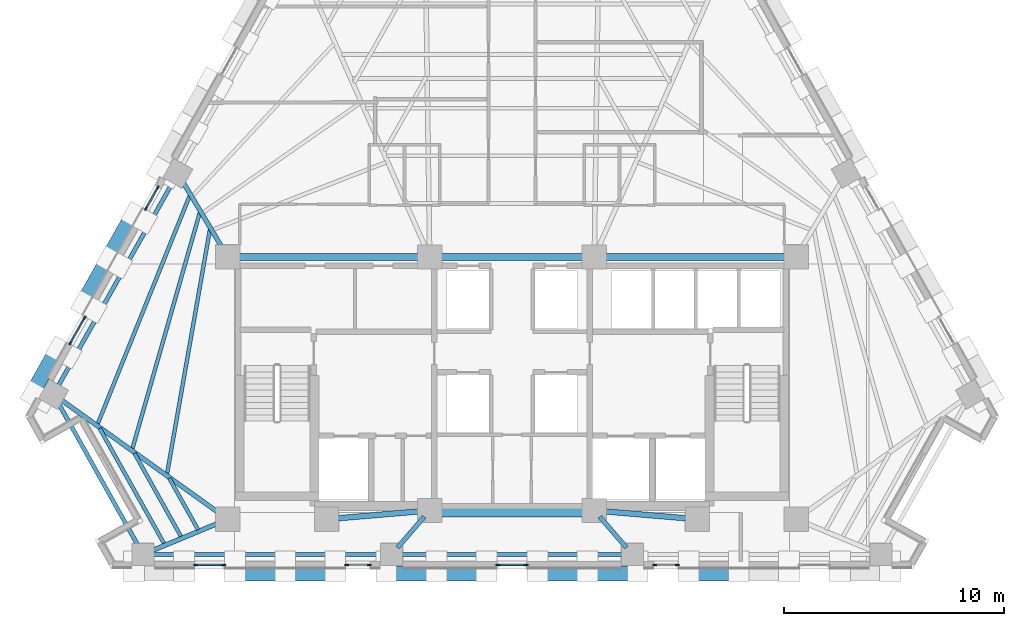
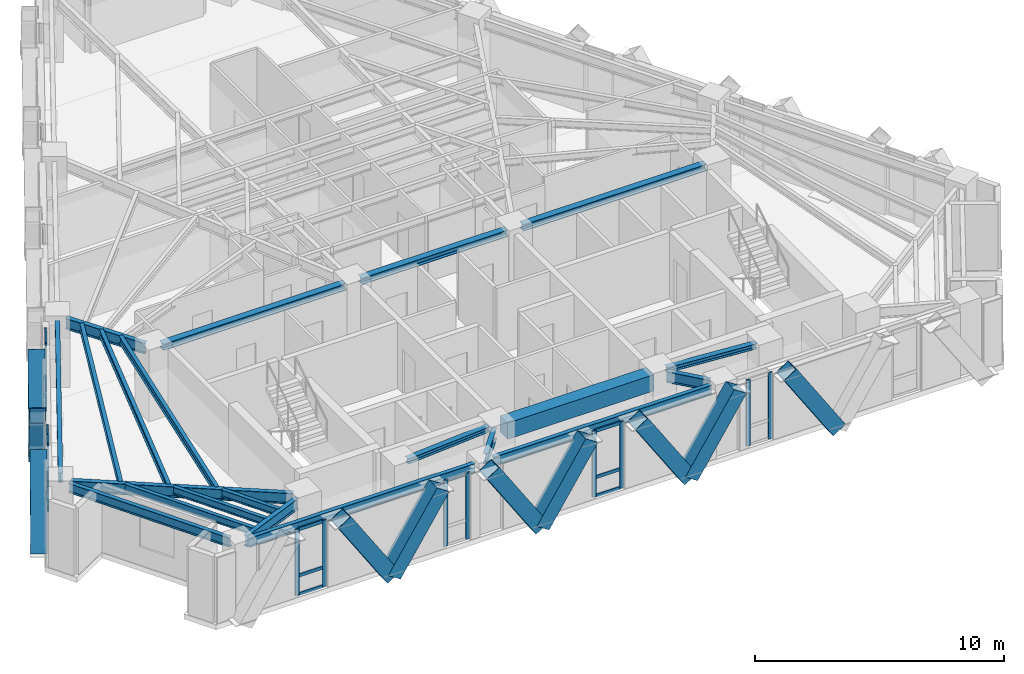
# One storey, part 2 of 14: 34 members, 21 beams, 6 elements without a shape of their own.
"""IFC4 building model written with IfcOpenShell, lengths in metres."""

import ifcopenshell
import ifcopenshell.guid

model = None  # the IFC model being written
_history = None  # IfcOwnerHistory: only IFC2X3 demands one
_inside = {}  # id of a spatial element -> (the spatial element, [elements in it])
_under = {}  # id of a project, library or spatial element -> (it, [spatial elements below it])
_declared = {}  # id of a project -> (the project, [libraries it declares])
_typed = {}  # id of a type object -> (the type object, [elements of that type])
_made_of = {}  # id of a material, layer set ... -> (it, [elements and type objects made of it])


def new_model(schema):
    """Start an empty IFC model of exactly this schema.

    Asked for "IFC4X3", IfcOpenShell would pick the latest addendum, in which some entities
    have other attributes; the version numbers below select the first issue.
    IFC2X3 requires an IfcOwnerHistory on every rooted entity: one is made here for all.
    """
    global model, _history
    if schema == "IFC4X3":
        model = ifcopenshell.file(schema_version=(4, 3, 0, 0))
    else:
        model = ifcopenshell.file(schema=schema)
    _inside.clear()
    _under.clear()
    _declared.clear()
    _typed.clear()
    _made_of.clear()
    _history = None
    if model.schema == "IFC2X3":
        org = make("IfcOrganization", Name="unknown")
        user = make(
            "IfcPersonAndOrganization",
            ThePerson=make("IfcPerson", FamilyName="unknown"),
            TheOrganization=org,
        )
        app = make(
            "IfcApplication",
            ApplicationDeveloper=org,
            Version="unknown",
            ApplicationFullName="unknown",
            ApplicationIdentifier="unknown",
        )
        _history = make(
            "IfcOwnerHistory",
            OwningUser=user,
            OwningApplication=app,
            ChangeAction="ADDED",
            CreationDate=0,
        )
    return model


def make(cls, **values):
    """One entity of the class cls with the attributes given. An attribute that is None is left unset."""
    return model.create_entity(
        cls, **{name: value for name, value in values.items() if value is not None}
    )


def rooted(cls, **values):
    """An entity with a GlobalId (a new one), such as an element, a storey or a relation."""
    return make(cls, GlobalId=ifcopenshell.guid.new(), OwnerHistory=_history, **values)


def si_unit(unit_type, name, prefix=None):
    """IfcSIUnit, for example si_unit("LENGTHUNIT", "METRE", prefix="MILLI")."""
    return make("IfcSIUnit", UnitType=unit_type, Prefix=prefix, Name=name)


def assignment(units):
    """IfcUnitAssignment: the units of a project."""
    return None if units is None else make("IfcUnitAssignment", Units=units)


def point(xyz):
    """IfcCartesianPoint."""
    return None if xyz is None else make("IfcCartesianPoint", Coordinates=xyz)


def direction(xyz):
    """IfcDirection."""
    return None if xyz is None else make("IfcDirection", DirectionRatios=xyz)


def frame(location, z_axis=None, x_axis=None):
    """IfcAxis2Placement3D, a coordinate frame: its origin and axes. An axis left out is left unset."""
    return make(
        "IfcAxis2Placement3D",
        Location=point(location),
        Axis=direction(z_axis),
        RefDirection=direction(x_axis),
    )


def frame_2d(location, x_axis=None):
    """IfcAxis2Placement2D, a coordinate frame in the plane: its origin and x axis."""
    return make(
        "IfcAxis2Placement2D", Location=point(location), RefDirection=direction(x_axis)
    )


def origin():
    """The frame at (0, 0, 0) with its axes left unset."""
    return frame((0.0, 0.0, 0.0))


def origin_2d():
    """The frame at (0, 0) in the plane with its x axis left unset."""
    return frame_2d((0.0, 0.0))


def place(relative_to, where):
    """IfcLocalPlacement: puts the frame where relative to a parent placement (None: the world)."""
    return make(
        "IfcLocalPlacement", PlacementRelTo=relative_to, RelativePlacement=where
    )


def context(
    kind, dimensions, precision=None, world=None, true_north=None, identifier=None
):
    """IfcGeometricRepresentationContext, for example the 3D "Model" context."""
    return make(
        "IfcGeometricRepresentationContext",
        ContextIdentifier=identifier,
        ContextType=kind,
        CoordinateSpaceDimension=dimensions,
        Precision=precision,
        WorldCoordinateSystem=world,
        TrueNorth=true_north,
    )


def subcontext(parent, identifier, kind, view, scale=None):
    """IfcGeometricRepresentationSubContext, for example "Body" below "Model"."""
    return make(
        "IfcGeometricRepresentationSubContext",
        ContextIdentifier=identifier,
        ContextType=kind,
        ParentContext=parent,
        TargetScale=scale,
        TargetView=view,
    )


def project(units=None, contexts=None):
    """IfcProject with its units and contexts."""
    return rooted(
        "IfcProject",
        Name="project",
        RepresentationContexts=contexts,
        UnitsInContext=assignment(units),
    )


def spatial(cls, under=None, at=None, **own):
    """A site, building, storey or space (cls), placed at a placement, below another one or the project."""
    s = rooted(cls, ObjectPlacement=at, **own)
    if under is not None:
        _under.setdefault(under.id(), (under, []))[1].append(s)
    return s


def profile(cls, at=None, kind="AREA", **sizes):
    """A parametric profile (cls). Its sizes go by their IFC names, for example OverallWidth=200.0."""
    return make(cls, ProfileType=kind, Position=at, **sizes)


def rectangle(**sizes):
    """IfcRectangleProfileDef."""
    return profile("IfcRectangleProfileDef", **sizes)


def hollow_rectangle(**sizes):
    """IfcRectangleHollowProfileDef."""
    return profile("IfcRectangleHollowProfileDef", **sizes)


def i_section(**sizes):
    """IfcIShapeProfileDef."""
    return profile("IfcIShapeProfileDef", **sizes)


def extrude(swept, where, along, depth):
    """IfcExtrudedAreaSolid: the profile swept, set in the frame where, extruded along a direction by depth."""
    return make(
        "IfcExtrudedAreaSolid",
        SweptArea=swept,
        Position=where,
        ExtrudedDirection=direction(along),
        Depth=depth,
    )


def shape(context_of_items, identifier, shape_type, items):
    """IfcShapeRepresentation: the items that make up one representation, for example the "Body"."""
    return make(
        "IfcShapeRepresentation",
        ContextOfItems=context_of_items,
        RepresentationIdentifier=identifier,
        RepresentationType=shape_type,
        Items=items,
    )


def material(Name=None, Category=None):
    """IfcMaterial."""
    return make("IfcMaterial", Name=Name, Category=Category)


def material_profile(
    of_material, cross_section, Name=None, Category=None, Priority=None
):
    """IfcMaterialProfile: a cross section and its material."""
    return make(
        "IfcMaterialProfile",
        Name=Name,
        Material=of_material,
        Profile=cross_section,
        Priority=Priority,
        Category=Category,
    )


def profile_set(profiles, Name=None, composite=None):
    """IfcMaterialProfileSet."""
    return make(
        "IfcMaterialProfileSet",
        Name=Name,
        MaterialProfiles=profiles,
        CompositeProfile=composite,
    )


def made_of(thing, what):
    """Note that an element or type object is made of a material, layer set ...; save() writes the relation."""
    if what is not None:
        _made_of.setdefault(what.id(), (what, []))[1].append(thing)
    return thing


def type_object(cls, material=None, **own):
    """A type object (cls), such as IfcWallType, which elements share."""
    return made_of(rooted(cls, **own), material)


def element(
    cls,
    number,
    at=None,
    inside=None,
    cuts=None,
    type_object=None,
    material=None,
    context=None,
    identifier="Body",
    shape_type=None,
    held_by="IfcProductDefinitionShape",
    body=None,
    shapes=None,
    **own,
):
    """One element of the class cls, such as IfcWall. Its Tag is "e" and its number.

    at: its placement. inside: the storey or other place that contains it. cuts: it is an
    opening in that element (IfcRelVoidsElement). A single representation is given by context,
    identifier, shape_type and body (its items); several are given by shapes. held_by: the class
    of the entity that holds the representations. save() writes the other relations.
    """
    e = rooted(cls, Tag="e%d" % number, ObjectPlacement=at, **own)
    if body is not None:
        shapes = [shape(context, identifier, shape_type, body)]
    if shapes is not None:
        e.Representation = make(held_by, Representations=shapes)
    if inside is not None:
        _inside.setdefault(inside.id(), (inside, []))[1].append(e)
    if cuts is not None:
        rooted(
            "IfcRelVoidsElement", RelatingBuildingElement=cuts, RelatedOpeningElement=e
        )
    if type_object is not None:
        _typed.setdefault(type_object.id(), (type_object, []))[1].append(e)
    return made_of(e, material)


def aggregate(whole, parts):
    """IfcRelAggregates: a whole, such as a stair, and the parts it consists of."""
    return rooted("IfcRelAggregates", RelatingObject=whole, RelatedObjects=parts)


def save(model, path):
    """Write the relations noted so far, then the file.

    IfcRelAggregates (storeys below a building ...), IfcRelContainedInSpatialStructure (elements
    in a storey), IfcRelDefinesByType, IfcRelAssociatesMaterial and IfcRelDeclares: one each for
    every whole, place, type object, material and project.
    """
    for whole, parts in _under.values():
        aggregate(whole, parts)
    for where, things in _inside.values():
        rooted(
            "IfcRelContainedInSpatialStructure",
            RelatedElements=things,
            RelatingStructure=where,
        )
    for kind, things in _typed.values():
        rooted("IfcRelDefinesByType", RelatedObjects=things, RelatingType=kind)
    for what, things in _made_of.values():
        rooted("IfcRelAssociatesMaterial", RelatedObjects=things, RelatingMaterial=what)
    for by, libraries in _declared.values():
        rooted("IfcRelDeclares", RelatingContext=by, RelatedDefinitions=libraries)
    model.write(path)


model = new_model("IFC4")

# Units and contexts
model_context = context("Model", 3, precision=1e-05, world=origin(), true_north=direction((0.0, 1.0)))
body_context = subcontext(model_context, "Body", "Model", "MODEL_VIEW")
ifc_project = project(units=[si_unit("LENGTHUNIT", "METRE"), si_unit("AREAUNIT", "SQUARE_METRE"), si_unit("VOLUMEUNIT", "CUBIC_METRE"), si_unit("PLANEANGLEUNIT", "RADIAN"), si_unit("MASSUNIT", "GRAM", prefix="KILO")], contexts=[model_context])

# Site, building, storey
site_placement = place(None, origin())
site = spatial("IfcSite", under=ifc_project, at=site_placement, CompositionType="ELEMENT")
building_placement = place(site_placement, origin())
building = spatial("IfcBuilding", under=site, at=building_placement, Name="Quenlor Broadcast Tower", CompositionType="ELEMENT")
storey_placement = place(building_placement, frame((0.0, 0.0, 140.5)))
storey = spatial("IfcBuildingStorey", under=building, at=storey_placement, Name="L38", CompositionType="ELEMENT", Elevation=140.5)

# Curtain wall, members
ifc_material_1 = material(Name="Architectural Terracotta and Low-E Glazing", Category="masonry")
curtain_wall_type = type_object("IfcCurtainWallType", Name="Unitised Terracotta Curtain Wall System Z3", PredefinedType="NOTDEFINED", material=ifc_material_1)
curtain_wall_1_placement = place(storey_placement, origin())
curtain_wall_1 = element("IfcCurtainWall", 1, at=curtain_wall_1_placement, inside=storey, type_object=curtain_wall_type, Name="L38 Curtain Wall CW3 (L38-SA-G2)", PredefinedType="NOTDEFINED")
ifc_material_2 = material(Name="Aluminium 6063-T6", Category="aluminium")
ifc_material_profile_1 = material_profile(ifc_material_2, rectangle(XDim=0.070068359375, YDim=0.18994140625, at=origin_2d()))
ifc_profile_set_1 = profile_set([ifc_material_profile_1], Name="Aluminium 6063-T6 MULL70x190")
member_type_1 = type_object("IfcMemberType", Name="CW3 Aluminium Mullion MULL_CW3", PredefinedType="MULLION", material=ifc_profile_set_1)
member_1_placement = place(storey_placement, frame((7.52197265625, -18.824951171875, 0.0), z_axis=(0.0, 0.0, 1.0), x_axis=(0.0, -1.0, 0.0)))
member_1 = element("IfcMember", 2, at=member_1_placement, type_object=member_type_1, Name="CW3 mullion 1", PredefinedType="MULLION", context=body_context, shape_type="SweptSolid", body=[
    extrude(rectangle(XDim=0.070068359375, YDim=0.18994140625, at=origin_2d()), origin(), (0.0, 0.0, 1.0), 3.25),
])
member_2_placement = place(storey_placement, frame((6.5009765625, -18.824951171875, 0.0), z_axis=(0.0, 0.0, 1.0), x_axis=(0.0, -1.0, 0.0)))
member_2 = element("IfcMember", 3, at=member_2_placement, type_object=member_type_1, Name="CW3 mullion 2", PredefinedType="MULLION", context=body_context, shape_type="SweptSolid", body=[
    extrude(rectangle(XDim=0.070068359375, YDim=0.18994140625, at=origin_2d()), origin(), (0.0, 0.0, 1.0), 3.25),
])
aggregate(curtain_wall_1, [member_1, member_2])

curtain_wall_2_placement = place(storey_placement, origin())
curtain_wall_2 = element("IfcCurtainWall", 4, at=curtain_wall_2_placement, inside=storey, type_object=curtain_wall_type, Name="L38 Curtain Wall CW3 (L38-SC-G1)", PredefinedType="NOTDEFINED")
member_3_placement = place(storey_placement, frame((-6.5009765625, -18.824951171875, 0.0), z_axis=(0.0, 0.0, 1.0), x_axis=(0.0, -1.0, 0.0)))
member_3 = element("IfcMember", 5, at=member_3_placement, type_object=member_type_1, Name="CW3 mullion 1", PredefinedType="MULLION", context=body_context, shape_type="SweptSolid", body=[
    extrude(rectangle(XDim=0.070068359375, YDim=0.18994140625, at=origin_2d()), origin(), (0.0, 0.0, 1.0), 3.25),
])
member_4_placement = place(storey_placement, frame((-7.52197265625, -18.824951171875, 0.0), z_axis=(0.0, 0.0, 1.0), x_axis=(0.0, -1.0, 0.0)))
member_4 = element("IfcMember", 6, at=member_4_placement, type_object=member_type_1, Name="CW3 mullion 2", PredefinedType="MULLION", context=body_context, shape_type="SweptSolid", body=[
    extrude(rectangle(XDim=0.070068359375, YDim=0.18994140625, at=origin_2d()), origin(), (0.0, 0.0, 1.0), 3.25),
])
aggregate(curtain_wall_2, [member_3, member_4])

curtain_wall_3_placement = place(storey_placement, origin())
curtain_wall_3 = element("IfcCurtainWall", 7, at=curtain_wall_3_placement, inside=storey, type_object=curtain_wall_type, Name="L38 Curtain Wall CW3 (L38-SC-G2)", PredefinedType="NOTDEFINED")
member_5_placement = place(storey_placement, frame((-13.14208984375, -18.824951171875, 0.0), z_axis=(0.0, 0.0, 1.0), x_axis=(0.0, -1.0, 0.0)))
member_5 = element("IfcMember", 8, at=member_5_placement, type_object=member_type_1, Name="CW3 mullion 1", PredefinedType="MULLION", context=body_context, shape_type="SweptSolid", body=[
    extrude(rectangle(XDim=0.070068359375, YDim=0.18994140625, at=origin_2d()), origin(), (0.0, 0.0, 1.0), 3.25),
])
member_6_placement = place(storey_placement, frame((-14.409912109375, -18.824951171875, 0.0), z_axis=(0.0, 0.0, 1.0), x_axis=(0.0, -1.0, 0.0)))
member_6 = element("IfcMember", 9, at=member_6_placement, type_object=member_type_1, Name="CW3 mullion 2", PredefinedType="MULLION", context=body_context, shape_type="SweptSolid", body=[
    extrude(rectangle(XDim=0.070068359375, YDim=0.18994140625, at=origin_2d()), origin(), (0.0, 0.0, 1.0), 3.25),
])

curtain_wall_4_placement = place(storey_placement, origin())
curtain_wall_4 = element("IfcCurtainWall", 10, at=curtain_wall_4_placement, inside=storey, type_object=curtain_wall_type, Name="L38 Curtain Wall CW3 (L38-S-G1)", PredefinedType="NOTDEFINED")
member_7_placement = place(storey_placement, frame((0.634033203125, -18.824951171875, 0.0), z_axis=(0.0, 0.0, 1.0), x_axis=(0.0, -1.0, 0.0)))
member_7 = element("IfcMember", 11, at=member_7_placement, type_object=member_type_1, Name="CW3 mullion 1", PredefinedType="MULLION", context=body_context, shape_type="SweptSolid", body=[
    extrude(rectangle(XDim=0.070068359375, YDim=0.18994140625, at=origin_2d()), origin(), (0.0, 0.0, 1.0), 3.25),
])
member_8_placement = place(storey_placement, frame((-0.634033203125, -18.824951171875, 0.0), z_axis=(0.0, 0.0, 1.0), x_axis=(0.0, -1.0, 0.0)))
member_8 = element("IfcMember", 12, at=member_8_placement, type_object=member_type_1, Name="CW3 mullion 2", PredefinedType="MULLION", context=body_context, shape_type="SweptSolid", body=[
    extrude(rectangle(XDim=0.070068359375, YDim=0.18994140625, at=origin_2d()), origin(), (0.0, 0.0, 1.0), 3.25),
])

curtain_wall_5_placement = place(storey_placement, origin())
curtain_wall_5 = element("IfcCurtainWall", 13, at=curtain_wall_5_placement, inside=storey, type_object=curtain_wall_type, Name="L38 Curtain Wall CW3 (L38-NWA-G1)", PredefinedType="NOTDEFINED")
member_9_placement = place(storey_placement, frame((-20.1171875, -8.720703125, 0.0), z_axis=(0.0, 0.0, 1.0), x_axis=(-0.871575537123, 0.490261239636, 0.0)))
member_9 = element("IfcMember", 14, at=member_9_placement, type_object=member_type_1, Name="CW3 mullion 1", PredefinedType="MULLION", context=body_context, shape_type="SweptSolid", body=[
    extrude(rectangle(XDim=0.070068359375, YDim=0.18994140625, at=origin_2d()), origin(), (0.0, 0.0, 1.0), 3.25),
])
member_10_placement = place(storey_placement, frame((-19.47021484375, -7.570556640625, 0.0), z_axis=(0.0, 0.0, 1.0), x_axis=(-0.871575537123, 0.490261239636, 0.0)))
member_10 = element("IfcMember", 15, at=member_10_placement, type_object=member_type_1, Name="CW3 mullion 2", PredefinedType="MULLION", context=body_context, shape_type="SweptSolid", body=[
    extrude(rectangle(XDim=0.070068359375, YDim=0.18994140625, at=origin_2d()), origin(), (0.0, 0.0, 1.0), 3.25),
])

curtain_wall_6_placement = place(storey_placement, origin())
curtain_wall_6 = element("IfcCurtainWall", 16, at=curtain_wall_6_placement, inside=storey, type_object=curtain_wall_type, Name="L38 Curtain Wall CW3 (L38-NWA-G2)", PredefinedType="NOTDEFINED")
member_11_placement = place(storey_placement, frame((-16.6689453125, -2.5908203125, 0.0), z_axis=(0.0, 0.0, 1.0), x_axis=(-0.871580169247, 0.490253004657, 0.0)))
member_11 = element("IfcMember", 17, at=member_11_placement, type_object=member_type_1, Name="CW3 mullion 1", PredefinedType="MULLION", context=body_context, shape_type="SweptSolid", body=[
    extrude(rectangle(XDim=0.070068359375, YDim=0.18994140625, at=origin_2d()), origin(), (0.0, 0.0, 1.0), 3.25),
])
member_12_placement = place(storey_placement, frame((-16.137939453125, -1.646728515625, 0.0), z_axis=(0.0, 0.0, 1.0), x_axis=(-0.871580169247, 0.490253004657, 0.0)))
member_12 = element("IfcMember", 18, at=member_12_placement, type_object=member_type_1, Name="CW3 mullion 2", PredefinedType="MULLION", context=body_context, shape_type="SweptSolid", body=[
    extrude(rectangle(XDim=0.070068359375, YDim=0.18994140625, at=origin_2d()), origin(), (0.0, 0.0, 1.0), 3.25),
])

# Member
ifc_material_3 = material(Name="Aluminium 6063-T6", Category="aluminium")
ifc_material_profile_2 = material_profile(ifc_material_3, rectangle(XDim=0.070068359375, YDim=0.155029296875, at=origin_2d()))
ifc_profile_set_2 = profile_set([ifc_material_profile_2], Name="Aluminium 6063-T6 TRAN70x155")
member_type_2 = type_object("IfcMemberType", Name="CW3 Aluminium Transom TRAN_CW3", PredefinedType="USERDEFINED", material=ifc_profile_set_2)
member_13_placement = place(storey_placement, frame((-13.177001953125, -18.824951171875, 0.034912109375), z_axis=(-1.0, 0.0, 0.0), x_axis=(0.0, -1.0, 0.0)))
member_13 = element("IfcMember", 19, at=member_13_placement, type_object=member_type_2, Name="CW3 transom 1.1", ObjectType="TRANSOM", PredefinedType="USERDEFINED", context=body_context, shape_type="SweptSolid", body=[
    extrude(rectangle(XDim=0.070068359375, YDim=0.155029296875, at=origin_2d()), origin(), (0.0, 0.0, 1.0), 1.197998046875),
])

member_14_placement = place(storey_placement, frame((-13.177001953125, -18.824951171875, 0.949951171875), z_axis=(-1.0, 0.0, 0.0), x_axis=(0.0, -1.0, 0.0)))
member_14 = element("IfcMember", 20, at=member_14_placement, type_object=member_type_2, Name="CW3 transom 1.2", ObjectType="TRANSOM", PredefinedType="USERDEFINED", context=body_context, shape_type="SweptSolid", body=[
    extrude(rectangle(XDim=0.070068359375, YDim=0.155029296875, at=origin_2d()), origin(), (0.0, 0.0, 1.0), 1.197998046875),
])

member_15_placement = place(storey_placement, frame((-13.177001953125, -18.824951171875, 3.215087890625), z_axis=(-1.0, 0.0, 0.0), x_axis=(0.0, -1.0, 0.0)))
member_15 = element("IfcMember", 21, at=member_15_placement, type_object=member_type_2, Name="CW3 transom 1.3", ObjectType="TRANSOM", PredefinedType="USERDEFINED", context=body_context, shape_type="SweptSolid", body=[
    extrude(rectangle(XDim=0.070068359375, YDim=0.155029296875, at=origin_2d()), origin(), (0.0, 0.0, 1.0), 1.197998046875),
])

aggregate(curtain_wall_3, [member_5, member_6, member_13, member_14, member_15])

member_16_placement = place(storey_placement, frame((0.59912109375, -18.824951171875, 0.034912109375), z_axis=(-1.0, 0.0, 0.0), x_axis=(0.0, -1.0, 0.0)))
member_16 = element("IfcMember", 22, at=member_16_placement, type_object=member_type_2, Name="CW3 transom 1.1", ObjectType="TRANSOM", PredefinedType="USERDEFINED", context=body_context, shape_type="SweptSolid", body=[
    extrude(rectangle(XDim=0.070068359375, YDim=0.155029296875, at=origin_2d()), origin(), (0.0, 0.0, 1.0), 1.1982421875),
])

member_17_placement = place(storey_placement, frame((0.59912109375, -18.824951171875, 0.949951171875), z_axis=(-1.0, 0.0, 0.0), x_axis=(0.0, -1.0, 0.0)))
member_17 = element("IfcMember", 23, at=member_17_placement, type_object=member_type_2, Name="CW3 transom 1.2", ObjectType="TRANSOM", PredefinedType="USERDEFINED", context=body_context, shape_type="SweptSolid", body=[
    extrude(rectangle(XDim=0.070068359375, YDim=0.155029296875, at=origin_2d()), origin(), (0.0, 0.0, 1.0), 1.1982421875),
])

member_18_placement = place(storey_placement, frame((0.59912109375, -18.824951171875, 3.215087890625), z_axis=(-1.0, 0.0, 0.0), x_axis=(0.0, -1.0, 0.0)))
member_18 = element("IfcMember", 24, at=member_18_placement, type_object=member_type_2, Name="CW3 transom 1.3", ObjectType="TRANSOM", PredefinedType="USERDEFINED", context=body_context, shape_type="SweptSolid", body=[
    extrude(rectangle(XDim=0.070068359375, YDim=0.155029296875, at=origin_2d()), origin(), (0.0, 0.0, 1.0), 1.1982421875),
])

aggregate(curtain_wall_4, [member_7, member_8, member_16, member_17, member_18])

member_19_placement = place(storey_placement, frame((-20.10009765625, -8.690185546875, 0.034912109375), z_axis=(0.490363266059, 0.871518139398, 0.0), x_axis=(-0.871518139398, 0.490363266059, 0.0)))
member_19 = element("IfcMember", 25, at=member_19_placement, type_object=member_type_2, Name="CW3 transom 1.1", ObjectType="TRANSOM", PredefinedType="USERDEFINED", context=body_context, shape_type="SweptSolid", body=[
    extrude(rectangle(XDim=0.070068359375, YDim=0.155029296875, at=origin_2d()), origin(), (0.0, 0.0, 1.0), 1.249755859375),
])

member_20_placement = place(storey_placement, frame((-20.10009765625, -8.690185546875, 0.949951171875), z_axis=(0.490363266059, 0.871518139398, 0.0), x_axis=(-0.871518139398, 0.490363266059, 0.0)))
member_20 = element("IfcMember", 26, at=member_20_placement, type_object=member_type_2, Name="CW3 transom 1.2", ObjectType="TRANSOM", PredefinedType="USERDEFINED", context=body_context, shape_type="SweptSolid", body=[
    extrude(rectangle(XDim=0.070068359375, YDim=0.155029296875, at=origin_2d()), origin(), (0.0, 0.0, 1.0), 1.249755859375),
])

member_21_placement = place(storey_placement, frame((-20.10009765625, -8.690185546875, 3.215087890625), z_axis=(0.490363266059, 0.871518139398, 0.0), x_axis=(-0.871518139398, 0.490363266059, 0.0)))
member_21 = element("IfcMember", 27, at=member_21_placement, type_object=member_type_2, Name="CW3 transom 1.3", ObjectType="TRANSOM", PredefinedType="USERDEFINED", context=body_context, shape_type="SweptSolid", body=[
    extrude(rectangle(XDim=0.070068359375, YDim=0.155029296875, at=origin_2d()), origin(), (0.0, 0.0, 1.0), 1.249755859375),
])

aggregate(curtain_wall_5, [member_9, member_10, member_19, member_20, member_21])

member_22_placement = place(storey_placement, frame((-16.65185546875, -2.560302734375, 0.034912109375), z_axis=(0.49015826449, 0.871633452635, 0.0), x_axis=(-0.871633452635, 0.49015826449, 0.0)))
member_22 = element("IfcMember", 28, at=member_22_placement, type_object=member_type_2, Name="CW3 transom 1.1", ObjectType="TRANSOM", PredefinedType="USERDEFINED", context=body_context, shape_type="SweptSolid", body=[
    extrude(rectangle(XDim=0.070068359375, YDim=0.155029296875, at=origin_2d()), origin(), (0.0, 0.0, 1.0), 1.01318359375),
])

member_23_placement = place(storey_placement, frame((-16.65185546875, -2.560302734375, 0.949951171875), z_axis=(0.49015826449, 0.871633452635, 0.0), x_axis=(-0.871633452635, 0.49015826449, 0.0)))
member_23 = element("IfcMember", 29, at=member_23_placement, type_object=member_type_2, Name="CW3 transom 1.2", ObjectType="TRANSOM", PredefinedType="USERDEFINED", context=body_context, shape_type="SweptSolid", body=[
    extrude(rectangle(XDim=0.070068359375, YDim=0.155029296875, at=origin_2d()), origin(), (0.0, 0.0, 1.0), 1.01318359375),
])

member_24_placement = place(storey_placement, frame((-16.65185546875, -2.560302734375, 3.215087890625), z_axis=(0.49015826449, 0.871633452635, 0.0), x_axis=(-0.871633452635, 0.49015826449, 0.0)))
member_24 = element("IfcMember", 30, at=member_24_placement, type_object=member_type_2, Name="CW3 transom 1.3", ObjectType="TRANSOM", PredefinedType="USERDEFINED", context=body_context, shape_type="SweptSolid", body=[
    extrude(rectangle(XDim=0.070068359375, YDim=0.155029296875, at=origin_2d()), origin(), (0.0, 0.0, 1.0), 1.01318359375),
])

aggregate(curtain_wall_6, [member_11, member_12, member_22, member_23, member_24])

# Beams
ifc_material_4 = material(Name="Concrete C50/60", Category="concrete")
ifc_material_profile_3 = material_profile(ifc_material_4, rectangle(XDim=0.60009765625, YDim=0.800048828125, at=origin_2d()))
ifc_profile_set_3 = profile_set([ifc_material_profile_3], Name="Concrete C50/60 RCB600x800")
beam_type_1 = type_object("IfcBeamType", Name="Core Coupling Beam Concrete C50/60 600x800", PredefinedType="BEAM", material=ifc_profile_set_3)
beam_1_placement = place(storey_placement, frame((-3.389892578125, -16.35009765625, 2.85009765625), z_axis=(1.0, 0.0, 0.0), x_axis=(0.0, 1.0, 0.0)))
element("IfcBeam", 31, at=beam_1_placement, inside=storey, type_object=beam_type_1, Name="L38 Core Coupling Beam 6", PredefinedType="BEAM", context=body_context, shape_type="SweptSolid", body=[
    extrude(rectangle(XDim=0.60009765625, YDim=0.800048828125, at=origin_2d()), origin(), (0.0, 0.0, 1.0), 6.77978515625),
])
ifc_material_5 = material(Name="Steel S355", Category="steel")
ifc_material_profile_4 = material_profile(ifc_material_5, i_section(OverallWidth=0.304931640625, OverallDepth=0.30810546875, WebThickness=0.010009765625, FlangeThickness=0.015380859375, FilletRadius=0.0166015625, at=origin_2d()))
ifc_profile_set_4 = profile_set([ifc_material_profile_4], Name="Steel S355 310UC96.8")
beam_type_2 = type_object("IfcBeamType", Name="Core Header Beam Steel S355 310UC96.8", PredefinedType="BEAM", material=ifc_profile_set_4)
beam_2_placement = place(storey_placement, frame((-3.389892578125, -4.800048828125, 3.095947265625), z_axis=(1.0, 0.0, 0.0), x_axis=(0.0, 1.0, 0.0)))
element("IfcBeam", 32, at=beam_2_placement, inside=storey, type_object=beam_type_2, Name="L38 Core Header Beam 2", PredefinedType="BEAM", context=body_context, shape_type="SweptSolid", body=[
    extrude(i_section(OverallWidth=0.304931640625, OverallDepth=0.30810546875, WebThickness=0.010009765625, FlangeThickness=0.015380859375, FilletRadius=0.0166015625, at=origin_2d()), origin(), (0.0, 0.0, 1.0), 6.77978515625),
])
ifc_material_6 = material(Name="Steel S355", Category="steel")
ifc_material_profile_5 = material_profile(ifc_material_6, i_section(OverallWidth=0.25390625, OverallDepth=0.25390625, WebThickness=0.008544921875, FlangeThickness=0.01416015625, FilletRadius=0.013916015625, at=origin_2d()))
ifc_profile_set_5 = profile_set([ifc_material_profile_5], Name="Steel S355 250UC72.9")
beam_type_3 = type_object("IfcBeamType", Name="Core Opening Lintel Beam Steel S355 250UC72.9", PredefinedType="LINTEL", material=ifc_profile_set_5)
for number, where, z_axis, x_axis, name in (
    (33, (-8.09130859375, -16.719482421875, 3.123046875), (0.996399763903, 0.084779186679, 0.0), (-0.084779186679, 0.996399763903, 0.0), "L38 Core Opening Lintel Beam 4"),
    (34, (4.108642578125, -16.380615234375, 3.123046875), (0.996399763903, -0.084779186679, 0.0), (0.084779186679, 0.996399763903, 0.0), "L38 Core Opening Lintel Beam 5"),
):
    element("IfcBeam", number, at=place(storey_placement, frame(where, z_axis=z_axis, x_axis=x_axis)), inside=storey, type_object=beam_type_3, Name=name, PredefinedType="LINTEL", context=body_context, shape_type="SweptSolid", body=[
        extrude(i_section(OverallWidth=0.25390625, OverallDepth=0.25390625, WebThickness=0.008544921875, FlangeThickness=0.01416015625, FilletRadius=0.013916015625, at=origin_2d()), origin(), (0.0, 0.0, 1.0), 3.9970703125),
    ])
ifc_material_7 = material(Name="Steel S355", Category="steel")
ifc_material_profile_6 = material_profile(ifc_material_7, i_section(OverallWidth=0.306884765625, OverallDepth=0.314697265625, WebThickness=0.011962890625, FlangeThickness=0.018798828125, FilletRadius=0.0166015625, at=origin_2d()))
ifc_profile_set_6 = profile_set([ifc_material_profile_6], Name="Steel S355 310UC118")
beam_type_4 = type_object("IfcBeamType", Name="Core Tie Beam Steel S355 310UC118", PredefinedType="BEAM", material=ifc_profile_set_6)
for number, where, z_axis, x_axis, name in (
    (35, (-12.590087890625, -4.800048828125, 3.0927734375), (1.0, 0.0, 0.0), (0.0, 1.0, 0.0), "L38 Core Tie Beam 1"),
    (36, (4.110107421875, -4.800048828125, 3.0927734375), (1.0, 0.0, 0.0), (0.0, 1.0, 0.0), "L38 Core Tie Beam 3"),
):
    element("IfcBeam", number, at=place(storey_placement, frame(where, z_axis=z_axis, x_axis=x_axis)), inside=storey, type_object=beam_type_4, Name=name, PredefinedType="BEAM", context=body_context, shape_type="SweptSolid", body=[
        extrude(i_section(OverallWidth=0.306884765625, OverallDepth=0.314697265625, WebThickness=0.011962890625, FlangeThickness=0.018798828125, FilletRadius=0.0166015625, at=origin_2d()), origin(), (0.0, 0.0, 1.0), 8.47998046875),
    ])

# Members
ifc_material_8 = material(Name="Steel S355", Category="steel")
ifc_material_profile_7 = material_profile(ifc_material_8, hollow_rectangle(XDim=0.679931640625, YDim=0.679931640625, WallThickness=0.02490234375, at=origin_2d()))
ifc_profile_set_7 = profile_set([ifc_material_profile_7], Name="Steel S355 RHS680x680x25")
member_type_3 = type_object("IfcMemberType", Name="Perimeter Diagonal Lattice Brace Z3-Z4 Steel S355 RHS680x25", PredefinedType="BRACE", material=ifc_profile_set_7)
member_25_placement = place(storey_placement, frame((10.318115234375, -19.219970703125, -0.1201171875), z_axis=(-0.543860340502, 0.0, 0.839175744424), x_axis=(0.0, -1.0, 0.0)))
element("IfcMember", 37, at=member_25_placement, inside=storey, type_object=member_type_3, Name="L38 Perimeter Diamond Lattice S-C2S", PredefinedType="BRACE", context=body_context, shape_type="SweptSolid", body=[
    extrude(hollow_rectangle(XDim=0.679931640625, YDim=0.679931640625, WallThickness=0.02490234375, at=origin_2d()), origin(), (0.0, 0.0, 1.0), 4.170654296875),
])
member_26_placement = place(storey_placement, frame((3.457763671875, -19.219970703125, -0.1201171875), z_axis=(0.543901560697, 0.0, 0.839149028643), x_axis=(0.0, 1.0, 0.0)))
element("IfcMember", 38, at=member_26_placement, inside=storey, type_object=member_type_3, Name="L38 Perimeter Diamond Lattice S-C2B", PredefinedType="BRACE", context=body_context, shape_type="SweptSolid", body=[
    extrude(hollow_rectangle(XDim=0.679931640625, YDim=0.679931640625, WallThickness=0.02490234375, at=origin_2d()), origin(), (0.0, 0.0, 1.0), 4.1708984375),
])
for number, where, z_axis, x_axis, name in (
    (39, (3.43017578125, -19.219970703125, -0.1201171875), (-0.543860340502, 0.0, 0.839175744424), (0.0, -1.0, 0.0), "L38 Perimeter Diamond Lattice S-C3S"),
    (40, (-3.43017578125, -19.219970703125, -0.1201171875), (0.543860340502, 0.0, 0.839175744424), (0.0, 1.0, 0.0), "L38 Perimeter Diamond Lattice S-C3B"),
):
    element("IfcMember", number, at=place(storey_placement, frame(where, z_axis=z_axis, x_axis=x_axis)), inside=storey, type_object=member_type_3, Name=name, PredefinedType="BRACE", context=body_context, shape_type="SweptSolid", body=[
        extrude(hollow_rectangle(XDim=0.679931640625, YDim=0.679931640625, WallThickness=0.02490234375, at=origin_2d()), origin(), (0.0, 0.0, 1.0), 4.170654296875),
    ])
member_27_placement = place(storey_placement, frame((-3.457763671875, -19.219970703125, -0.1201171875), z_axis=(-0.543901560697, 0.0, 0.839149028643), x_axis=(0.0, -1.0, 0.0)))
element("IfcMember", 41, at=member_27_placement, inside=storey, type_object=member_type_3, Name="L38 Perimeter Diamond Lattice S-C4S", PredefinedType="BRACE", context=body_context, shape_type="SweptSolid", body=[
    extrude(hollow_rectangle(XDim=0.679931640625, YDim=0.679931640625, WallThickness=0.02490234375, at=origin_2d()), origin(), (0.0, 0.0, 1.0), 4.1708984375),
])
member_28_placement = place(storey_placement, frame((-10.318115234375, -19.219970703125, -0.1201171875), z_axis=(0.543860340502, 0.0, 0.839175744424), x_axis=(0.0, 1.0, 0.0)))
element("IfcMember", 42, at=member_28_placement, inside=storey, type_object=member_type_3, Name="L38 Perimeter Diamond Lattice S-C4B", PredefinedType="BRACE", context=body_context, shape_type="SweptSolid", body=[
    extrude(hollow_rectangle(XDim=0.679931640625, YDim=0.679931640625, WallThickness=0.02490234375, at=origin_2d()), origin(), (0.0, 0.0, 1.0), 4.170654296875),
])
member_29_placement = place(storey_placement, frame((-10.345703125, -19.219970703125, -0.1201171875), z_axis=(-0.543901560697, 0.0, 0.839149028643), x_axis=(0.0, -1.0, 0.0)))
element("IfcMember", 43, at=member_29_placement, inside=storey, type_object=member_type_3, Name="L38 Perimeter Diamond Lattice S-C5S", PredefinedType="BRACE", context=body_context, shape_type="SweptSolid", body=[
    extrude(hollow_rectangle(XDim=0.679931640625, YDim=0.679931640625, WallThickness=0.02490234375, at=origin_2d()), origin(), (0.0, 0.0, 1.0), 4.1708984375),
])
for number, where, z_axis, x_axis, name in (
    (44, (-21.85498046875, -11.004638671875, -0.1201171875), (0.2705491942, 0.481008661973, 0.833926735766), (-0.871589611547, 0.490236217596, 0.0), "L38 Perimeter Diamond Lattice NW-C1S"),
    (45, (-18.4208984375, -4.8994140625, -0.1201171875), (-0.2705491942, -0.481008661973, 0.833926735766), (0.871589611547, -0.490236217596, 0.0), "L38 Perimeter Diamond Lattice NW-C1B"),
    (46, (-18.406982421875, -4.874755859375, -0.1201171875), (0.2705491942, 0.481008661973, 0.833926735766), (-0.871589611547, 0.490236217596, 0.0), "L38 Perimeter Diamond Lattice NW-C2S"),
):
    element("IfcMember", number, at=place(storey_placement, frame(where, z_axis=z_axis, x_axis=x_axis)), inside=storey, type_object=member_type_3, Name=name, PredefinedType="BRACE", context=body_context, shape_type="SweptSolid", body=[
        extrude(hollow_rectangle(XDim=0.679931640625, YDim=0.679931640625, WallThickness=0.02490234375, at=origin_2d()), origin(), (0.0, 0.0, 1.0), 4.197021484375),
    ])

# Beams
ifc_material_9 = material(Name="Steel S355", Category="steel")
ifc_material_profile_8 = material_profile(ifc_material_9, i_section(OverallWidth=0.19091796875, OverallDepth=0.46044921875, WebThickness=0.010009765625, FlangeThickness=0.01611328125, FilletRadius=0.011474609375, at=origin_2d()))
ifc_profile_set_8 = profile_set([ifc_material_profile_8], Name="Steel S355 460UB82.1")
beam_type_5 = type_object("IfcBeamType", Name="Perimeter Spandrel Beam Z3 Steel S355 460UB82.1", PredefinedType="SPANDREL", material=ifc_profile_set_8)
beam_3_placement = place(storey_placement, frame((-16.3984375, -18.35009765625, 3.019775390625), z_axis=(1.0, 0.0, 0.0), x_axis=(0.0, 1.0, 0.0)))
element("IfcBeam", 47, at=beam_3_placement, inside=storey, type_object=beam_type_5, Name="L38 Spandrel Beam S1-S2", PredefinedType="SPANDREL", context=body_context, shape_type="SweptSolid", body=[
    extrude(i_section(OverallWidth=0.19091796875, OverallDepth=0.46044921875, WebThickness=0.010009765625, FlangeThickness=0.01611328125, FilletRadius=0.011474609375, at=origin_2d()), origin(), (0.0, 0.0, 1.0), 10.50732421875),
])
beam_4_placement = place(storey_placement, frame((-5.071044921875, -18.35009765625, 3.019775390625), z_axis=(1.0, 0.0, 0.0), x_axis=(0.0, 1.0, 0.0)))
element("IfcBeam", 48, at=beam_4_placement, inside=storey, type_object=beam_type_5, Name="L38 Spandrel Beam S2-S3", PredefinedType="SPANDREL", context=body_context, shape_type="SweptSolid", body=[
    extrude(i_section(OverallWidth=0.19091796875, OverallDepth=0.46044921875, WebThickness=0.010009765625, FlangeThickness=0.01611328125, FilletRadius=0.011474609375, at=origin_2d()), origin(), (0.0, 0.0, 1.0), 10.14208984375),
])
beam_5_placement = place(storey_placement, frame((-15.425048828125, -1.347900390625, 3.019775390625), z_axis=(-0.490257999604, -0.871577359633, 0.0), x_axis=(0.871577359633, -0.490257999604, 0.0)))
element("IfcBeam", 49, at=beam_5_placement, inside=storey, type_object=beam_type_5, Name="L38 Spandrel Beam NW3-NW4", PredefinedType="SPANDREL", context=body_context, shape_type="SweptSolid", body=[
    extrude(i_section(OverallWidth=0.19091796875, OverallDepth=0.46044921875, WebThickness=0.010009765625, FlangeThickness=0.01611328125, FilletRadius=0.011474609375, at=origin_2d()), origin(), (0.0, 0.0, 1.0), 10.732666015625),
])
beam_6_placement = place(storey_placement, frame((-20.6875, -11.417236328125, 3.019775390625), z_axis=(0.488298439934, -0.872676706208, 0.0), x_axis=(0.872676706208, 0.488298439934, 0.0)))
element("IfcBeam", 50, at=beam_6_placement, inside=storey, type_object=beam_type_5, Name="L38 Spandrel Beam NW4-S1", PredefinedType="SPANDREL", context=body_context, shape_type="SweptSolid", body=[
    extrude(i_section(OverallWidth=0.19091796875, OverallDepth=0.46044921875, WebThickness=0.010009765625, FlangeThickness=0.01611328125, FilletRadius=0.011474609375, at=origin_2d()), origin(), (0.0, 0.0, 1.0), 7.5341796875),
])
ifc_material_10 = material(Name="Steel S355", Category="steel")
ifc_material_profile_9 = material_profile(ifc_material_10, i_section(OverallWidth=0.172119140625, OverallDepth=0.358642578125, WebThickness=0.008056640625, FlangeThickness=0.012939453125, FilletRadius=0.011474609375, at=origin_2d()))
ifc_profile_set_9 = profile_set([ifc_material_profile_9], Name="Steel S355 360UB56.7")
beam_type_6 = type_object("IfcBeamType", Name="Tower Composite Joist Z2-Z3 Steel S355 360UB56.7", PredefinedType="JOIST", material=ifc_profile_set_9)
beam_7_placement = place(storey_placement, frame((-15.71435546875, -14.679443359375, 3.07080078125), z_axis=(0.172906811417, 0.984938188195, 0.0), x_axis=(-0.984938188195, 0.172906811417, 0.0)))
element("IfcBeam", 51, at=beam_7_placement, inside=storey, type_object=beam_type_6, Name="L38 Secondary Composite Joist 13", PredefinedType="JOIST", context=body_context, shape_type="SweptSolid", body=[
    extrude(i_section(OverallWidth=0.172119140625, OverallDepth=0.358642578125, WebThickness=0.008056640625, FlangeThickness=0.012939453125, FilletRadius=0.011474609375, at=origin_2d()), origin(), (0.0, 0.0, 1.0), 11.30419921875),
])
beam_8_placement = place(storey_placement, frame((-17.293701171875, -13.543212890625, 3.07080078125), z_axis=(0.274418577045, 0.961610339261, 0.0), x_axis=(-0.961610339261, 0.274418577045, 0.0)))
element("IfcBeam", 52, at=beam_8_placement, inside=storey, type_object=beam_type_6, Name="L38 Secondary Composite Joist 14", PredefinedType="JOIST", context=body_context, shape_type="SweptSolid", body=[
    extrude(i_section(OverallWidth=0.172119140625, OverallDepth=0.358642578125, WebThickness=0.008056640625, FlangeThickness=0.012939453125, FilletRadius=0.011474609375, at=origin_2d()), origin(), (0.0, 0.0, 1.0), 11.191162109375),
])
beam_9_placement = place(storey_placement, frame((-18.873291015625, -12.407958984375, 3.07080078125), z_axis=(0.373824118901, 0.927499610851, 0.0), x_axis=(-0.927499610851, 0.373824118901, 0.0)))
element("IfcBeam", 53, at=beam_9_placement, inside=storey, type_object=beam_type_6, Name="L38 Secondary Composite Joist 15", PredefinedType="JOIST", context=body_context, shape_type="SweptSolid", body=[
    extrude(i_section(OverallWidth=0.172119140625, OverallDepth=0.358642578125, WebThickness=0.008056640625, FlangeThickness=0.012939453125, FilletRadius=0.011474609375, at=origin_2d()), origin(), (0.0, 0.0, 1.0), 11.203125),
])
beam_10_placement = place(storey_placement, frame((-14.30078125, -17.22412109375, 3.07080078125), z_axis=(-0.488370382241, 0.87263644764, 0.0), x_axis=(-0.87263644764, -0.488370382241, 0.0)))
element("IfcBeam", 54, at=beam_10_placement, inside=storey, type_object=beam_type_6, Name="L38 Secondary Composite Joist 19", PredefinedType="JOIST", context=body_context, shape_type="SweptSolid", body=[
    extrude(i_section(OverallWidth=0.172119140625, OverallDepth=0.358642578125, WebThickness=0.008056640625, FlangeThickness=0.012939453125, FilletRadius=0.011474609375, at=origin_2d()), origin(), (0.0, 0.0, 1.0), 2.680419921875),
])
beam_11_placement = place(storey_placement, frame((-15.072509765625, -17.544189453125, 3.07080078125), z_axis=(-0.488294103756, 0.872679132463, 0.0), x_axis=(-0.872679132463, -0.488294103756, 0.0)))
element("IfcBeam", 55, at=beam_11_placement, inside=storey, type_object=beam_type_6, Name="L38 Secondary Composite Joist 20", PredefinedType="JOIST", context=body_context, shape_type="SweptSolid", body=[
    extrude(i_section(OverallWidth=0.172119140625, OverallDepth=0.358642578125, WebThickness=0.008056640625, FlangeThickness=0.012939453125, FilletRadius=0.011474609375, at=origin_2d()), origin(), (0.0, 0.0, 1.0), 4.351318359375),
])
beam_12_placement = place(storey_placement, frame((-15.84423828125, -17.8642578125, 3.07080078125), z_axis=(-0.488308300212, 0.872671188905, 0.0), x_axis=(-0.872671188905, -0.488308300212, 0.0)))
element("IfcBeam", 56, at=beam_12_placement, inside=storey, type_object=beam_type_6, Name="L38 Secondary Composite Joist 21", PredefinedType="JOIST", context=body_context, shape_type="SweptSolid", body=[
    extrude(i_section(OverallWidth=0.172119140625, OverallDepth=0.358642578125, WebThickness=0.008056640625, FlangeThickness=0.012939453125, FilletRadius=0.011474609375, at=origin_2d()), origin(), (0.0, 0.0, 1.0), 6.022216796875),
])
ifc_material_11 = material(Name="Steel S355", Category="steel")
ifc_material_profile_10 = material_profile(ifc_material_11, i_section(OverallWidth=0.208984375, OverallDepth=0.532958984375, WebThickness=0.01025390625, FlangeThickness=0.015625, FilletRadius=0.013916015625, at=origin_2d()))
ifc_profile_set_10 = profile_set([ifc_material_profile_10], Name="Steel S355 530UB92.4")
beam_type_7 = type_object("IfcBeamType", Name="Tower Primary Floor Beam Z3 Steel S355 530UB92.4", PredefinedType="BEAM", material=ifc_profile_set_10)
beam_13_placement = place(storey_placement, frame((-16.4296875, -18.19287109375, 2.9833984375), z_axis=(0.923730294618, 0.383043525993, 0.0), x_axis=(-0.383043525993, 0.923730294618, 0.0)))
element("IfcBeam", 57, at=beam_13_placement, inside=storey, type_object=beam_type_7, Name="L38 Primary Radial Beam S1", PredefinedType="BEAM", context=body_context, shape_type="SweptSolid", body=[
    extrude(i_section(OverallWidth=0.208984375, OverallDepth=0.532958984375, WebThickness=0.01025390625, FlangeThickness=0.015625, FilletRadius=0.013916015625, at=origin_2d()), origin(), (0.0, 0.0, 1.0), 3.386962890625),
])
for number, where, z_axis, x_axis, name in (
    (58, (-5.212646484375, -18.0400390625, 2.9833984375), (0.654339118401, 0.75620124182, 0.0), (-0.75620124182, 0.654339118401, 0.0), "L38 Primary Radial Beam S2"),
    (59, (5.212646484375, -18.0400390625, 2.9833984375), (-0.654339118401, 0.75620124182, 0.0), (-0.75620124182, -0.654339118401, 0.0), "L38 Primary Radial Beam S3"),
):
    element("IfcBeam", number, at=place(storey_placement, frame(where, z_axis=z_axis, x_axis=x_axis)), inside=storey, type_object=beam_type_7, Name=name, PredefinedType="BEAM", context=body_context, shape_type="SweptSolid", body=[
        extrude(i_section(OverallWidth=0.208984375, OverallDepth=0.532958984375, WebThickness=0.01025390625, FlangeThickness=0.015625, FilletRadius=0.013916015625, at=origin_2d()), origin(), (0.0, 0.0, 1.0), 1.855224609375),
    ])
beam_14_placement = place(storey_placement, frame((-15.013916015625, -1.3427734375, 2.9833984375), z_axis=(0.512604023694, -0.858625130597, 0.0), x_axis=(0.858625130597, 0.512604023694, 0.0)))
element("IfcBeam", 60, at=beam_14_placement, inside=storey, type_object=beam_type_7, Name="L38 Primary Radial Beam NW3", PredefinedType="BEAM", context=body_context, shape_type="SweptSolid", body=[
    extrude(i_section(OverallWidth=0.208984375, OverallDepth=0.532958984375, WebThickness=0.01025390625, FlangeThickness=0.015625, FilletRadius=0.013916015625, at=origin_2d()), origin(), (0.0, 0.0, 1.0), 3.646484375),
])
beam_15_placement = place(storey_placement, frame((-20.554443359375, -11.29833984375, 2.9833984375), z_axis=(0.812728908832, -0.582642017666, 0.0), x_axis=(0.582642017666, 0.812728908832, 0.0)))
element("IfcBeam", 61, at=beam_15_placement, inside=storey, type_object=beam_type_7, Name="L38 Primary Radial Beam NW4", PredefinedType="BEAM", context=body_context, shape_type="SweptSolid", body=[
    extrude(i_section(OverallWidth=0.208984375, OverallDepth=0.532958984375, WebThickness=0.01025390625, FlangeThickness=0.015625, FilletRadius=0.013916015625, at=origin_2d()), origin(), (0.0, 0.0, 1.0), 8.976806640625),
])

save(model, "model.ifc")
